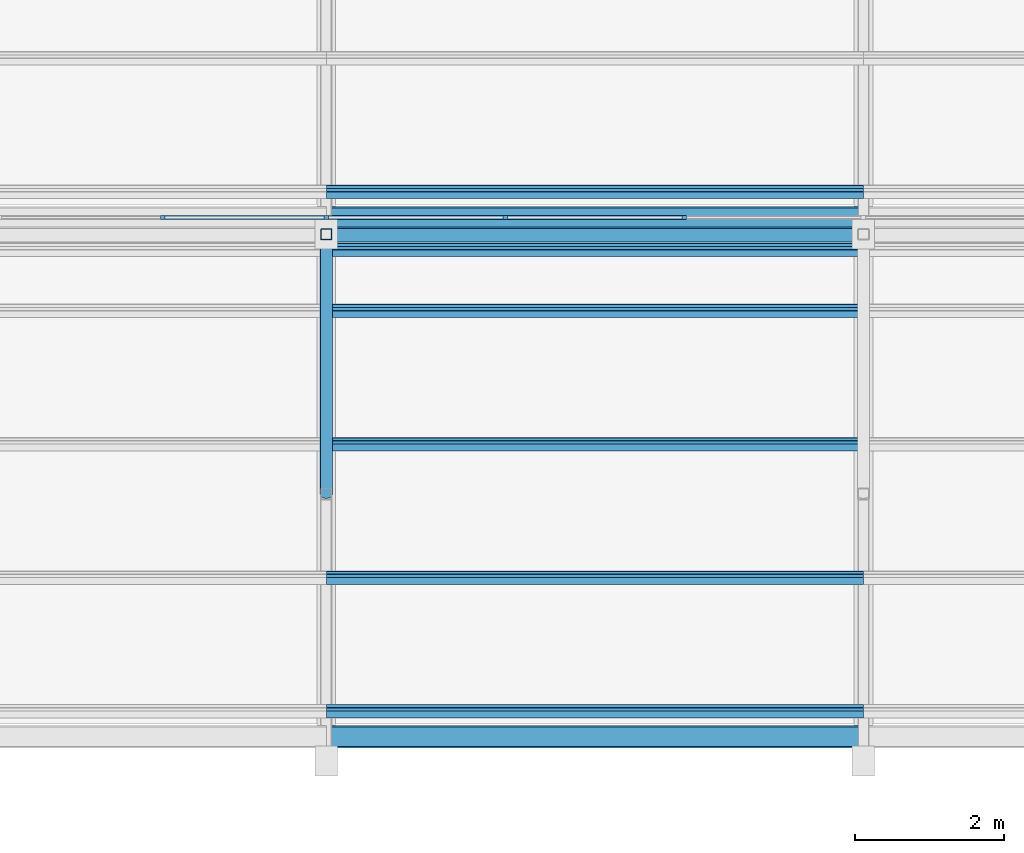
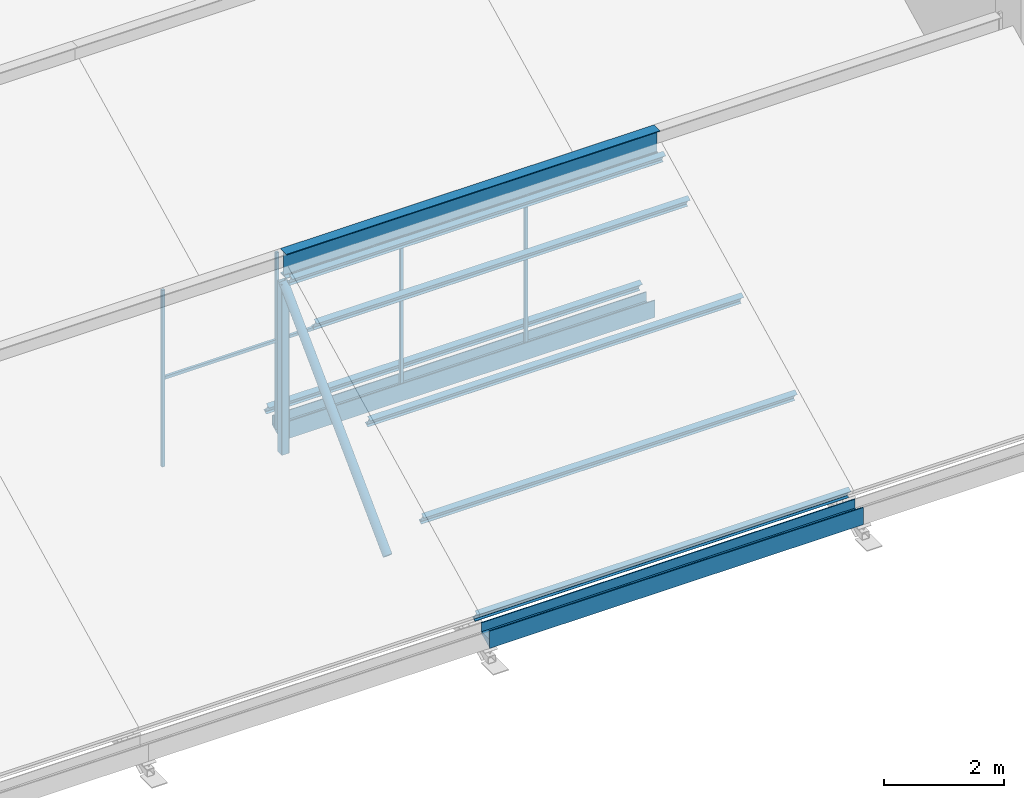
# One storey, part 12 of 83: 18 members, 2 elements without a shape of their own.
"""IFC4 building model written with IfcOpenShell, lengths in metres."""

from ifc_helpers import new_model, si_unit, direction, frame, origin, origin_2d, place, context, subcontext, project, spatial, polyline, rectangle, hollow_rectangle, hollow_circle, i_section, outline, extrude, material, material_profile, profile_set, type_object, element, aggregate, save


model = new_model("IFC4")

# Units and contexts
model_context = context("Model", 3, precision=1e-05, world=origin(), true_north=direction((0.0, 1.0)))
body_context = subcontext(model_context, "Body", "Model", "MODEL_VIEW")
ifc_project = project(units=[si_unit("LENGTHUNIT", "METRE"), si_unit("AREAUNIT", "SQUARE_METRE"), si_unit("VOLUMEUNIT", "CUBIC_METRE"), si_unit("PLANEANGLEUNIT", "RADIAN"), si_unit("MASSUNIT", "GRAM", prefix="KILO")], contexts=[model_context])

# Site, building, storey
site_placement = place(None, origin())
site = spatial("IfcSite", under=ifc_project, at=site_placement, CompositionType="ELEMENT")
building_placement = place(site_placement, origin())
building = spatial("IfcBuilding", under=site, at=building_placement, Name="Silangan Lancet Faculty of Sciences", CompositionType="ELEMENT")
storey_placement = place(building_placement, frame((0.0, 0.0, 11.39990234375)))
storey = spatial("IfcBuildingStorey", under=building, at=storey_placement, Name="L02", CompositionType="ELEMENT", Elevation=11.39990234375)

# Member
ifc_material_1 = material(Name="Steel SS400", Category="steel")
ifc_material_profile_1 = material_profile(ifc_material_1, i_section(OverallWidth=0.199951171875, OverallDepth=0.5, WebThickness=0.010009765625, FlangeThickness=0.01611328125, FilletRadius=0.02001953125, at=origin_2d()), Name="H 500x200x10x16")
ifc_profile_set_1 = profile_set([ifc_material_profile_1], Name="Steel SS400")
member_type_1 = type_object("IfcMemberType", Name="Exposed ridge beam H 500x200x10x16", PredefinedType="MEMBER", material=ifc_profile_set_1)
member_1_placement = place(storey_placement, frame((57.60009765625, 7.191650390625, 3.9326171875), z_axis=(1.0, 0.0, 0.0), x_axis=(0.0, 1.0, 0.0)))
element("IfcMember", 1, at=member_1_placement, inside=storey, type_object=member_type_1, Name="Exposed ridge beam SAB-1-5", PredefinedType="MEMBER", context=body_context, shape_type="SweptSolid", body=[
    extrude(i_section(OverallWidth=0.199951171875, OverallDepth=0.5, WebThickness=0.010009765625, FlangeThickness=0.01611328125, FilletRadius=0.02001953125, at=origin_2d()), origin(), (0.0, 0.0, 1.0), 7.199951171875),
])

# Curtain wall, member
ifc_material_2 = material(Name="Aluminium and laminated glass", Category="aluminium")
curtain_wall_type = type_object("IfcCurtainWallType", Name="North light glazing system", PredefinedType="NOTDEFINED", material=ifc_material_2)
curtain_wall_1_placement = place(storey_placement, origin())
curtain_wall_1 = element("IfcCurtainWall", 2, at=curtain_wall_1_placement, inside=storey, type_object=curtain_wall_type, Name="North light glazing SAB-1-4", PredefinedType="NOTDEFINED")
ifc_material_3 = material(Name="Aluminium 6063-T6", Category="aluminium")
ifc_material_profile_2 = material_profile(ifc_material_3, rectangle(XDim=0.06005859375, YDim=0.050048828125, at=origin_2d()), Name="AL 60x50")
ifc_profile_set_2 = profile_set([ifc_material_profile_2], Name="Aluminium 6063-T6")
member_type_2 = type_object("IfcMemberType", Name="North light mullion 60x50", PredefinedType="MULLION", material=ifc_profile_set_2)
member_2_placement = place(storey_placement, frame((55.408203125, 7.416748046875, 0.4423828125), z_axis=(0.0, 0.0, 1.0), x_axis=(1.0, 0.0, 0.0)))
member_2 = element("IfcMember", 3, at=member_2_placement, type_object=member_type_2, Name="North light mullion SAB-1-4 3", PredefinedType="MULLION", context=body_context, shape_type="SweptSolid", body=[
    extrude(rectangle(XDim=0.06005859375, YDim=0.050048828125, at=origin_2d()), origin(), (0.0, 0.0, 1.0), 3.595947265625),
])

# Curtain wall, members
curtain_wall_2_placement = place(storey_placement, origin())
curtain_wall_2 = element("IfcCurtainWall", 4, at=curtain_wall_2_placement, inside=storey, type_object=curtain_wall_type, Name="North light glazing SAB-1-5", PredefinedType="NOTDEFINED")
member_3_placement = place(storey_placement, frame((57.60009765625, 7.416748046875, 0.4423828125), z_axis=(0.0, 0.0, 1.0), x_axis=(1.0, 0.0, 0.0)))
member_3 = element("IfcMember", 5, at=member_3_placement, type_object=member_type_2, Name="North light mullion SAB-1-5 1", PredefinedType="MULLION", context=body_context, shape_type="SweptSolid", body=[
    extrude(rectangle(XDim=0.06005859375, YDim=0.050048828125, at=origin_2d()), origin(), (0.0, 0.0, 1.0), 3.595947265625),
])
member_4_placement = place(storey_placement, frame((60.0, 7.416748046875, 0.4423828125), z_axis=(0.0, 0.0, 1.0), x_axis=(1.0, 0.0, 0.0)))
member_4 = element("IfcMember", 6, at=member_4_placement, type_object=member_type_2, Name="North light mullion SAB-1-5 2", PredefinedType="MULLION", context=body_context, shape_type="SweptSolid", body=[
    extrude(rectangle(XDim=0.06005859375, YDim=0.050048828125, at=origin_2d()), origin(), (0.0, 0.0, 1.0), 3.595947265625),
])
member_5_placement = place(storey_placement, frame((62.39990234375, 7.416748046875, 0.4423828125), z_axis=(0.0, 0.0, 1.0), x_axis=(1.0, 0.0, 0.0)))
member_5 = element("IfcMember", 7, at=member_5_placement, type_object=member_type_2, Name="North light mullion SAB-1-5 3", PredefinedType="MULLION", context=body_context, shape_type="SweptSolid", body=[
    extrude(rectangle(XDim=0.06005859375, YDim=0.050048828125, at=origin_2d()), origin(), (0.0, 0.0, 1.0), 3.595947265625),
])

# Member
ifc_material_4 = material(Name="Aluminium 6063-T6", Category="aluminium")
ifc_material_profile_3 = material_profile(ifc_material_4, rectangle(XDim=0.050048828125, YDim=0.06005859375, at=origin_2d()), Name="AL 50x60")
ifc_profile_set_3 = profile_set([ifc_material_profile_3], Name="Aluminium 6063-T6")
member_type_3 = type_object("IfcMemberType", Name="North light transom 50x60", PredefinedType="USERDEFINED", material=ifc_profile_set_3)
member_6_placement = place(storey_placement, frame((55.438232421875, 7.416748046875, 2.240478515625), z_axis=(1.0, 0.0, 0.0), x_axis=(0.0, 1.0, 0.0)))
member_6 = element("IfcMember", 8, at=member_6_placement, type_object=member_type_3, Name="North light transom SAB-1-4 3", ObjectType="TRANSOM", PredefinedType="USERDEFINED", context=body_context, shape_type="SweptSolid", body=[
    extrude(rectangle(XDim=0.050048828125, YDim=0.06005859375, at=origin_2d()), origin(), (0.0, 0.0, 1.0), 2.1318359375),
])

aggregate(curtain_wall_1, [member_2, member_6])

member_7_placement = place(storey_placement, frame((57.6298828125, 7.416748046875, 2.240478515625), z_axis=(1.0, 0.0, 0.0), x_axis=(0.0, 1.0, 0.0)))
member_7 = element("IfcMember", 9, at=member_7_placement, type_object=member_type_3, Name="North light transom SAB-1-5 1", ObjectType="TRANSOM", PredefinedType="USERDEFINED", context=body_context, shape_type="SweptSolid", body=[
    extrude(rectangle(XDim=0.050048828125, YDim=0.06005859375, at=origin_2d()), origin(), (0.0, 0.0, 1.0), 2.340087890625),
])

member_8_placement = place(storey_placement, frame((60.030029296875, 7.416748046875, 2.240478515625), z_axis=(1.0, 0.0, 0.0), x_axis=(0.0, 1.0, 0.0)))
member_8 = element("IfcMember", 10, at=member_8_placement, type_object=member_type_3, Name="North light transom SAB-1-5 2", ObjectType="TRANSOM", PredefinedType="USERDEFINED", context=body_context, shape_type="SweptSolid", body=[
    extrude(rectangle(XDim=0.050048828125, YDim=0.06005859375, at=origin_2d()), origin(), (0.0, 0.0, 1.0), 2.340087890625),
])

aggregate(curtain_wall_2, [member_3, member_4, member_5, member_7, member_8])

# Members
ifc_material_5 = material(Name="Steel SS400", Category="steel")
ifc_material_profile_4 = material_profile(ifc_material_5, i_section(OverallWidth=0.10009765625, OverallDepth=0.199951171875, WebThickness=0.005615234375, FlangeThickness=0.008056640625, FilletRadius=0.008056640625, at=origin_2d()), Name="H 200x100x5.5x8")
ifc_profile_set_4 = profile_set([ifc_material_profile_4], Name="Steel SS400")
member_type_4 = type_object("IfcMemberType", Name="Sheeting purlin H 200x100x5.5x8", PredefinedType="PURLIN", material=ifc_profile_set_4)
for number, where, z_axis, x_axis, name in (
    (11, (57.60009765625, 0.80029296875, 0.6318359375), (1.0, 0.0, 0.0), (0.0, 0.894427192382, 0.447213592736), "Sheeting purlin SAB-1-5 1"),
    (12, (57.60009765625, 2.589111328125, 1.526123046875), (1.0, 0.0, 0.0), (0.0, 0.894427192382, 0.447213592736), "Sheeting purlin SAB-1-5 2"),
    (13, (57.60009765625, 4.3779296875, 2.420654296875), (1.0, 0.0, 0.0), (0.0, 0.894427192382, 0.447213592736), "Sheeting purlin SAB-1-5 3"),
    (14, (57.60009765625, 6.166748046875, 3.31494140625), (1.0, 0.0, 0.0), (0.0, 0.894427192382, 0.447213592736), "Sheeting purlin SAB-1-5 4"),
    (15, (57.60009765625, 6.983642578125, 3.723388671875), (1.0, 0.0, 0.0), (0.0, 0.894427192382, 0.447213592736), "Sheeting purlin SAB-1-5 5"),
    (16, (57.60009765625, 7.761962890625, 0.6318359375), (1.0, 0.0, 0.0), (0.0, 0.894427192382, 0.447213592736), "Sheeting purlin SAB-2-5 1"),
):
    element("IfcMember", number, at=place(storey_placement, frame(where, z_axis=z_axis, x_axis=x_axis)), inside=storey, type_object=member_type_4, Name=name, PredefinedType="PURLIN", context=body_context, shape_type="SweptSolid", body=[
        extrude(i_section(OverallWidth=0.10009765625, OverallDepth=0.199951171875, WebThickness=0.005615234375, FlangeThickness=0.008056640625, FilletRadius=0.008056640625, at=origin_2d()), origin(), (0.0, 0.0, 1.0), 7.199951171875),
    ])
ifc_material_6 = material(Name="Steel STK400", Category="steel")
ifc_material_profile_5 = material_profile(ifc_material_6, hollow_circle(Radius=0.08251953125, WallThickness=0.0048828125, at=origin_2d()), Name="CHS 165.2x5.0")
ifc_profile_set_5 = profile_set([ifc_material_profile_5], Name="Steel STK400")
member_type_5 = type_object("IfcMemberType", Name="Truss diagonal CHS 165.2x5.0", PredefinedType="BRACE", material=ifc_profile_set_5)
member_9_placement = place(storey_placement, frame((57.60009765625, 3.710693359375, 0.09521484375), z_axis=(0.0, 0.707131578465, 0.707081983039), x_axis=(-1.0, 0.0, 0.0)))
element("IfcMember", 17, at=member_9_placement, inside=storey, type_object=member_type_5, Name="Truss 5 diagonal 1", PredefinedType="BRACE", context=body_context, shape_type="SweptSolid", body=[
    extrude(hollow_circle(Radius=0.08251953125, WallThickness=0.0048828125, at=origin_2d()), origin(), (0.0, 0.0, 1.0), 4.922607421875),
])
ifc_material_7 = material(Name="Steel STKR400", Category="steel")
ifc_material_profile_6 = material_profile(ifc_material_7, hollow_rectangle(XDim=0.14990234375, YDim=0.14990234375, WallThickness=0.006103515625, InnerFilletRadius=0.006103515625, OuterFilletRadius=0.011962890625, at=origin_2d()), Name="SHS 150x150x6.0")
ifc_profile_set_6 = profile_set([ifc_material_profile_6], Name="Steel STKR400")
member_type_6 = type_object("IfcMemberType", Name="Truss post SHS 150x150x6.0", PredefinedType="POST", material=ifc_profile_set_6)
member_10_placement = place(storey_placement, frame((57.60009765625, 7.191650390625, 0.09521484375), z_axis=(0.0, 0.0, 1.0), x_axis=(1.0, 0.0, 0.0)))
element("IfcMember", 18, at=member_10_placement, inside=storey, type_object=member_type_6, Name="Truss 5 riser post 1", PredefinedType="POST", context=body_context, shape_type="SweptSolid", body=[
    extrude(hollow_rectangle(XDim=0.14990234375, YDim=0.14990234375, WallThickness=0.006103515625, InnerFilletRadius=0.006103515625, OuterFilletRadius=0.011962890625, at=origin_2d()), origin(), (0.0, 0.0, 1.0), 3.480712890625),
])
ifc_material_8 = material(Name="Stainless steel", Category="steel")
ifc_material_profile_7 = material_profile(ifc_material_8, outline(polyline([(-0.14990234375, 0.0), (0.14990234375, 0.14990234375), (0.14990234375, 0.35009765625), (0.1298828125, 0.35009765625), (0.1298828125, 0.169921875), (-0.1298828125, 0.169921875), (-0.1298828125, 0.35009765625), (-0.14990234375, 0.35009765625), (-0.14990234375, 0.0)])), Name="valley gutter")
ifc_profile_set_7 = profile_set([ifc_material_profile_7], Name="Stainless steel")
member_type_7 = type_object("IfcMemberType", Name="Valley gutter 300 wide", PredefinedType="USERDEFINED", material=ifc_profile_set_7)
for number, where, z_axis, x_axis, name in (
    (19, (57.60009765625, 0.455078125, 0.2724609375), (1.0, 0.0, 0.0), (0.0, 1.0, 0.0), "Valley gutter SAB-1-5"),
    (20, (57.60009765625, 7.416748046875, 0.2724609375), (1.0, 0.0, 0.0), (0.0, 1.0, 0.0), "Valley gutter SAB-2-5"),
):
    element("IfcMember", number, at=place(storey_placement, frame(where, z_axis=z_axis, x_axis=x_axis)), inside=storey, type_object=member_type_7, Name=name, ObjectType="GUTTER", PredefinedType="USERDEFINED", context=body_context, shape_type="SweptSolid", body=[
        extrude(outline(polyline([(-0.14990234375, 0.0), (0.14990234375, 0.14990234375), (0.14990234375, 0.35009765625), (0.1298828125, 0.35009765625), (0.1298828125, 0.169921875), (-0.1298828125, 0.169921875), (-0.1298828125, 0.35009765625), (-0.14990234375, 0.35009765625), (-0.14990234375, 0.0)])), origin(), (0.0, 0.0, 1.0), 7.199951171875),
    ])

save(model, "model.ifc")
